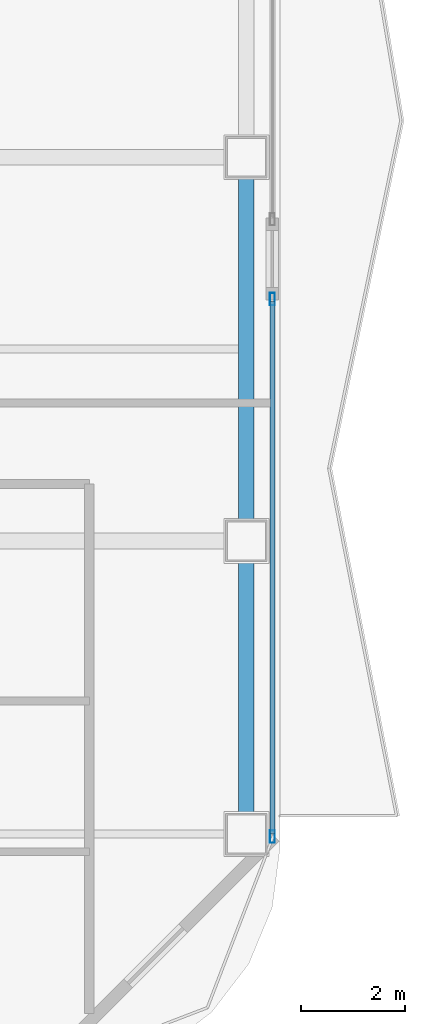
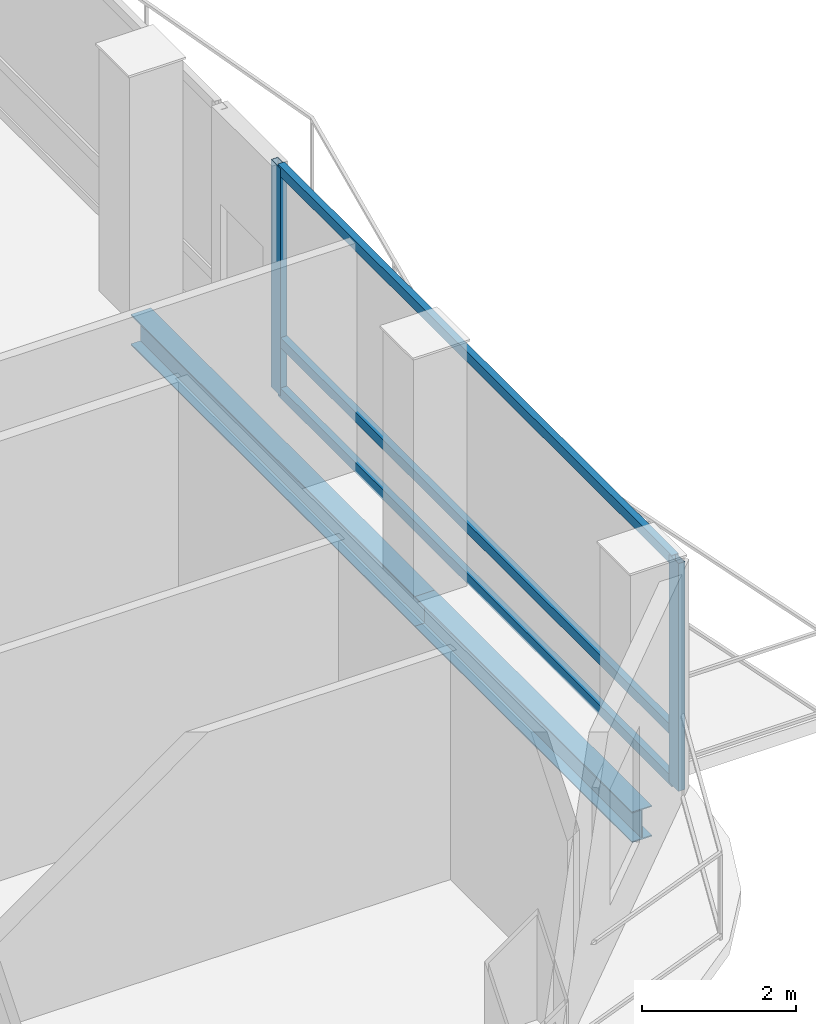
# One storey, part 10 of 27: 5 members, 2 beams, 1 element without a shape of its own.
"""IFC4 building model written with IfcOpenShell, lengths in metres."""

from ifc_helpers import new_model, si_unit, direction, frame, origin, origin_2d, place, context, subcontext, project, spatial, hollow_rectangle, i_section, extrude, material, layer, layer_set, material_profile, profile_set, type_object, element, aggregate, save


model = new_model("IFC4")

# Units and contexts
model_context = context("Model", 3, precision=1e-05, world=origin(), true_north=direction((0.0, 1.0)))
body_context = subcontext(model_context, "Body", "Model", "MODEL_VIEW")
ifc_project = project(units=[si_unit("LENGTHUNIT", "METRE"), si_unit("AREAUNIT", "SQUARE_METRE"), si_unit("VOLUMEUNIT", "CUBIC_METRE"), si_unit("PLANEANGLEUNIT", "RADIAN"), si_unit("MASSUNIT", "GRAM", prefix="KILO")], contexts=[model_context])

# Site, building, storey
site_placement = place(None, origin())
site = spatial("IfcSite", under=ifc_project, at=site_placement, CompositionType="ELEMENT")
building_placement = place(site_placement, origin())
building = spatial("IfcBuilding", under=site, at=building_placement, Name="Khorvyn Point Tower", CompositionType="ELEMENT")
storey_placement = place(building_placement, frame((0.0, 0.0, 50.10009765625)))
storey = spatial("IfcBuildingStorey", under=building, at=storey_placement, Name="L13", CompositionType="ELEMENT", Elevation=50.10009765625)

# Curtain wall, members
ifc_material_1 = material(Name="Anodised aluminium 6063-T6 and laminated Low-E glass", Category="aluminium")
ifc_layer = layer(ifc_material_1, 0.18994140625)
ifc_layer_set = layer_set([ifc_layer], Name="Stick-Built Finned Residential Curtain Wall CW-SYS-02")
curtain_wall_type = type_object("IfcCurtainWallType", Name="Stick-Built Finned Residential Curtain Wall CW-SYS-02", PredefinedType="NOTDEFINED", material=ifc_layer_set)
curtain_wall_placement = place(storey_placement, origin())
curtain_wall = element("IfcCurtainWall", 1, at=curtain_wall_placement, inside=storey, type_object=curtain_wall_type, Name="Curtain Wall", PredefinedType="NOTDEFINED")
ifc_material_2 = material(Name="Anodised aluminium 6063-T6", Category="aluminium")
ifc_material_profile_1 = material_profile(ifc_material_2, hollow_rectangle(XDim=0.10009765625, YDim=0.239990234375, WallThickness=0.0048828125, at=origin_2d()))
ifc_profile_set_1 = profile_set([ifc_material_profile_1], Name="Anodised aluminium 6063-T6 ALU-MUL-100x240")
member_type_1 = type_object("IfcMemberType", Name="Anodised Aluminium 6063-T6 Mullion ALU-MUL-100x240", PredefinedType="MULLION", material=ifc_profile_set_1)
member_1_placement = place(storey_placement, frame((27.949951171875, -10.136962890625, 0.0), z_axis=(0.0, 0.0, 1.0), x_axis=(1.0, 0.0, 0.0)))
member_1 = element("IfcMember", 2, at=member_1_placement, type_object=member_type_1, Name="Transom", PredefinedType="MULLION", context=body_context, shape_type="SweptSolid", body=[
    extrude(hollow_rectangle(XDim=0.10009765625, YDim=0.239990234375, WallThickness=0.0048828125, at=origin_2d()), origin(), (0.0, 0.0, 1.0), 3.619873046875),
])
member_2_placement = place(storey_placement, frame((27.949951171875, -20.5, 0.0), z_axis=(0.0, 0.0, 1.0), x_axis=(1.0, 0.0, 0.0)))
member_2 = element("IfcMember", 3, at=member_2_placement, type_object=member_type_1, Name="Transom", PredefinedType="MULLION", context=body_context, shape_type="SweptSolid", body=[
    extrude(hollow_rectangle(XDim=0.10009765625, YDim=0.239990234375, WallThickness=0.0048828125, at=origin_2d()), origin(), (0.0, 0.0, 1.0), 3.619873046875),
])
ifc_material_profile_2 = material_profile(ifc_material_2, hollow_rectangle(XDim=0.10009765625, YDim=0.159912109375, WallThickness=0.00439453125, at=origin_2d()))
ifc_profile_set_2 = profile_set([ifc_material_profile_2], Name="Anodised aluminium 6063-T6 ALU-TRN-100x160")
member_type_2 = type_object("IfcMemberType", Name="Anodised Aluminium 6063-T6 Transom ALU-TRN-100x160", PredefinedType="USERDEFINED", material=ifc_profile_set_2)
member_3_placement = place(storey_placement, frame((27.949951171875, -10.18701171875, 0.0498046875), z_axis=(0.0, -1.0, 0.0), x_axis=(1.0, 0.0, 0.0)))
member_3 = element("IfcMember", 4, at=member_3_placement, type_object=member_type_2, Name="Transom", ObjectType="TRANSOM", PredefinedType="USERDEFINED", context=body_context, shape_type="SweptSolid", body=[
    extrude(hollow_rectangle(XDim=0.10009765625, YDim=0.159912109375, WallThickness=0.00439453125, at=origin_2d()), origin(), (0.0, 0.0, 1.0), 10.262939453125),
])
member_4_placement = place(storey_placement, frame((27.949951171875, -10.18701171875, 0.849853515625), z_axis=(0.0, -1.0, 0.0), x_axis=(1.0, 0.0, 0.0)))
member_4 = element("IfcMember", 5, at=member_4_placement, type_object=member_type_2, Name="Transom", ObjectType="TRANSOM", PredefinedType="USERDEFINED", context=body_context, shape_type="SweptSolid", body=[
    extrude(hollow_rectangle(XDim=0.10009765625, YDim=0.159912109375, WallThickness=0.00439453125, at=origin_2d()), origin(), (0.0, 0.0, 1.0), 10.262939453125),
])
member_5_placement = place(storey_placement, frame((27.949951171875, -10.18701171875, 3.56982421875), z_axis=(0.0, -1.0, 0.0), x_axis=(1.0, 0.0, 0.0)))
member_5 = element("IfcMember", 6, at=member_5_placement, type_object=member_type_2, Name="Transom", ObjectType="TRANSOM", PredefinedType="USERDEFINED", context=body_context, shape_type="SweptSolid", body=[
    extrude(hollow_rectangle(XDim=0.10009765625, YDim=0.159912109375, WallThickness=0.00439453125, at=origin_2d()), origin(), (0.0, 0.0, 1.0), 10.262939453125),
])
aggregate(curtain_wall, [member_1, member_2, member_3, member_4, member_5])

# Beams
ifc_material_3 = material(Name="Steel S355", Category="steel")
ifc_material_profile_3 = material_profile(ifc_material_3, i_section(OverallWidth=0.300048828125, OverallDepth=0.488037109375, WebThickness=0.010986328125, FlangeThickness=0.01806640625, at=origin_2d()))
ifc_profile_set_3 = profile_set([ifc_material_profile_3], Name="Steel S355 H488x300x11x18")
beam_type = type_object("IfcBeamType", Name="Steel S355 Spandrel H488x300x11x18", PredefinedType="SPANDREL", material=ifc_profile_set_3)
beam_1_placement = place(storey_placement, frame((27.449951171875, -20.449951171875, -0.464111328125), z_axis=(0.0, 1.0, 0.0), x_axis=(-1.0, 0.0, 0.0)))
element("IfcBeam", 7, at=beam_1_placement, inside=storey, type_object=beam_type, Name="Beam", PredefinedType="SPANDREL", context=body_context, shape_type="SweptSolid", body=[
    extrude(i_section(OverallWidth=0.300048828125, OverallDepth=0.488037109375, WebThickness=0.010986328125, FlangeThickness=0.01806640625, at=origin_2d()), origin(), (0.0, 0.0, 1.0), 5.64990234375),
])
beam_2_placement = place(storey_placement, frame((27.449951171875, -14.800048828125, -0.464111328125), z_axis=(0.0, 1.0, 0.0), x_axis=(-1.0, 0.0, 0.0)))
element("IfcBeam", 8, at=beam_2_placement, inside=storey, type_object=beam_type, Name="Beam", PredefinedType="SPANDREL", context=body_context, shape_type="SweptSolid", body=[
    extrude(i_section(OverallWidth=0.300048828125, OverallDepth=0.488037109375, WebThickness=0.010986328125, FlangeThickness=0.01806640625, at=origin_2d()), origin(), (0.0, 0.0, 1.0), 7.400146484375),
])

save(model, "model.ifc")
